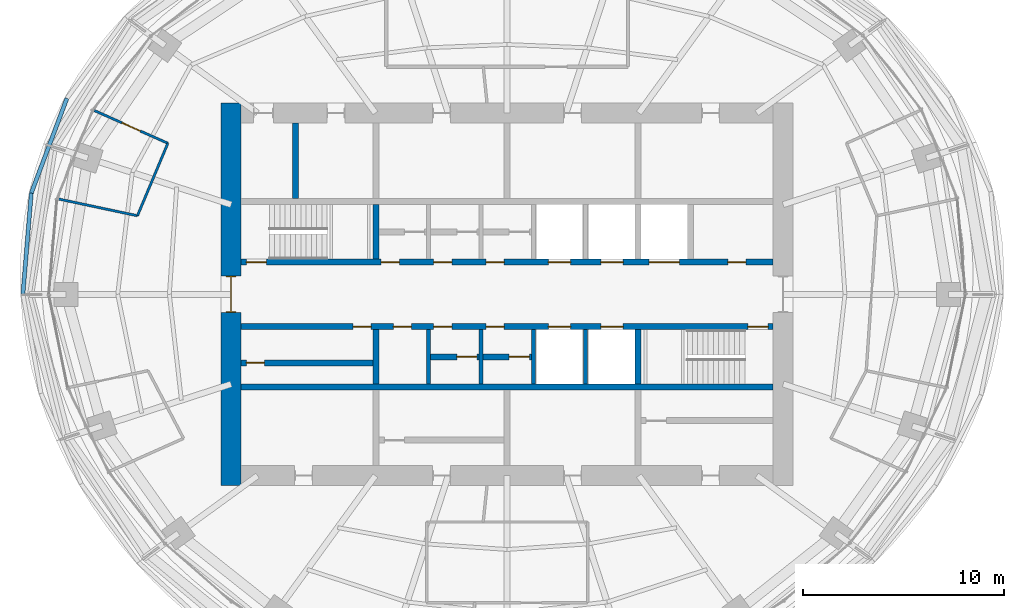
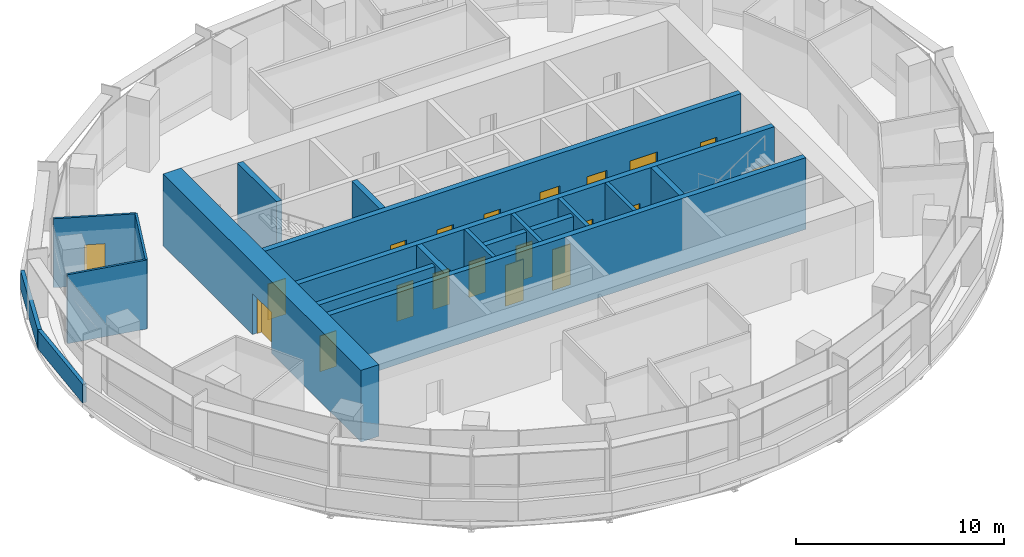
# One storey, part 11 of 15: 20 doors, 20 walls, 20 openings.
"""IFC4 building model written with IfcOpenShell, lengths in metres."""

import ifcopenshell
import ifcopenshell.guid

model = None  # the IFC model being written
_history = None  # IfcOwnerHistory: only IFC2X3 demands one
_inside = {}  # id of a spatial element -> (the spatial element, [elements in it])
_under = {}  # id of a project, library or spatial element -> (it, [spatial elements below it])
_declared = {}  # id of a project -> (the project, [libraries it declares])
_typed = {}  # id of a type object -> (the type object, [elements of that type])
_made_of = {}  # id of a material, layer set ... -> (it, [elements and type objects made of it])


def new_model(schema):
    """Start an empty IFC model of exactly this schema.

    Asked for "IFC4X3", IfcOpenShell would pick the latest addendum, in which some entities
    have other attributes; the version numbers below select the first issue.
    IFC2X3 requires an IfcOwnerHistory on every rooted entity: one is made here for all.
    """
    global model, _history
    if schema == "IFC4X3":
        model = ifcopenshell.file(schema_version=(4, 3, 0, 0))
    else:
        model = ifcopenshell.file(schema=schema)
    _inside.clear()
    _under.clear()
    _declared.clear()
    _typed.clear()
    _made_of.clear()
    _history = None
    if model.schema == "IFC2X3":
        org = make("IfcOrganization", Name="unknown")
        user = make(
            "IfcPersonAndOrganization",
            ThePerson=make("IfcPerson", FamilyName="unknown"),
            TheOrganization=org,
        )
        app = make(
            "IfcApplication",
            ApplicationDeveloper=org,
            Version="unknown",
            ApplicationFullName="unknown",
            ApplicationIdentifier="unknown",
        )
        _history = make(
            "IfcOwnerHistory",
            OwningUser=user,
            OwningApplication=app,
            ChangeAction="ADDED",
            CreationDate=0,
        )
    return model


def make(cls, **values):
    """One entity of the class cls with the attributes given. An attribute that is None is left unset."""
    return model.create_entity(
        cls, **{name: value for name, value in values.items() if value is not None}
    )


def rooted(cls, **values):
    """An entity with a GlobalId (a new one), such as an element, a storey or a relation."""
    return make(cls, GlobalId=ifcopenshell.guid.new(), OwnerHistory=_history, **values)


def si_unit(unit_type, name, prefix=None):
    """IfcSIUnit, for example si_unit("LENGTHUNIT", "METRE", prefix="MILLI")."""
    return make("IfcSIUnit", UnitType=unit_type, Prefix=prefix, Name=name)


def assignment(units):
    """IfcUnitAssignment: the units of a project."""
    return None if units is None else make("IfcUnitAssignment", Units=units)


def point(xyz):
    """IfcCartesianPoint."""
    return None if xyz is None else make("IfcCartesianPoint", Coordinates=xyz)


def direction(xyz):
    """IfcDirection."""
    return None if xyz is None else make("IfcDirection", DirectionRatios=xyz)


def frame(location, z_axis=None, x_axis=None):
    """IfcAxis2Placement3D, a coordinate frame: its origin and axes. An axis left out is left unset."""
    return make(
        "IfcAxis2Placement3D",
        Location=point(location),
        Axis=direction(z_axis),
        RefDirection=direction(x_axis),
    )


def frame_2d(location, x_axis=None):
    """IfcAxis2Placement2D, a coordinate frame in the plane: its origin and x axis."""
    return make(
        "IfcAxis2Placement2D", Location=point(location), RefDirection=direction(x_axis)
    )


def origin():
    """The frame at (0, 0, 0) with its axes left unset."""
    return frame((0.0, 0.0, 0.0))


def place(relative_to, where):
    """IfcLocalPlacement: puts the frame where relative to a parent placement (None: the world)."""
    return make(
        "IfcLocalPlacement", PlacementRelTo=relative_to, RelativePlacement=where
    )


def context(
    kind, dimensions, precision=None, world=None, true_north=None, identifier=None
):
    """IfcGeometricRepresentationContext, for example the 3D "Model" context."""
    return make(
        "IfcGeometricRepresentationContext",
        ContextIdentifier=identifier,
        ContextType=kind,
        CoordinateSpaceDimension=dimensions,
        Precision=precision,
        WorldCoordinateSystem=world,
        TrueNorth=true_north,
    )


def subcontext(parent, identifier, kind, view, scale=None):
    """IfcGeometricRepresentationSubContext, for example "Body" below "Model"."""
    return make(
        "IfcGeometricRepresentationSubContext",
        ContextIdentifier=identifier,
        ContextType=kind,
        ParentContext=parent,
        TargetScale=scale,
        TargetView=view,
    )


def project(units=None, contexts=None):
    """IfcProject with its units and contexts."""
    return rooted(
        "IfcProject",
        Name="project",
        RepresentationContexts=contexts,
        UnitsInContext=assignment(units),
    )


def spatial(cls, under=None, at=None, **own):
    """A site, building, storey or space (cls), placed at a placement, below another one or the project."""
    s = rooted(cls, ObjectPlacement=at, **own)
    if under is not None:
        _under.setdefault(under.id(), (under, []))[1].append(s)
    return s


def profile(cls, at=None, kind="AREA", **sizes):
    """A parametric profile (cls). Its sizes go by their IFC names, for example OverallWidth=200.0."""
    return make(cls, ProfileType=kind, Position=at, **sizes)


def rectangle(**sizes):
    """IfcRectangleProfileDef."""
    return profile("IfcRectangleProfileDef", **sizes)


def extrude(swept, where, along, depth):
    """IfcExtrudedAreaSolid: the profile swept, set in the frame where, extruded along a direction by depth."""
    return make(
        "IfcExtrudedAreaSolid",
        SweptArea=swept,
        Position=where,
        ExtrudedDirection=direction(along),
        Depth=depth,
    )


def shape(context_of_items, identifier, shape_type, items):
    """IfcShapeRepresentation: the items that make up one representation, for example the "Body"."""
    return make(
        "IfcShapeRepresentation",
        ContextOfItems=context_of_items,
        RepresentationIdentifier=identifier,
        RepresentationType=shape_type,
        Items=items,
    )


def material(Name=None, Category=None):
    """IfcMaterial."""
    return make("IfcMaterial", Name=Name, Category=Category)


def layer(
    of_material, thickness, ventilated=None, Name=None, Category=None, Priority=None
):
    """IfcMaterialLayer: one layer of a wall or slab, of a material (None: an air gap)."""
    return make(
        "IfcMaterialLayer",
        Material=of_material,
        LayerThickness=thickness,
        IsVentilated=ventilated,
        Name=Name,
        Category=Category,
        Priority=Priority,
    )


def layer_set(layers, Name=None):
    """IfcMaterialLayerSet."""
    return make("IfcMaterialLayerSet", MaterialLayers=layers, LayerSetName=Name)


def made_of(thing, what):
    """Note that an element or type object is made of a material, layer set ...; save() writes the relation."""
    if what is not None:
        _made_of.setdefault(what.id(), (what, []))[1].append(thing)
    return thing


def type_object(cls, material=None, **own):
    """A type object (cls), such as IfcWallType, which elements share."""
    return made_of(rooted(cls, **own), material)


def element(
    cls,
    number,
    at=None,
    inside=None,
    cuts=None,
    type_object=None,
    material=None,
    context=None,
    identifier="Body",
    shape_type=None,
    held_by="IfcProductDefinitionShape",
    body=None,
    shapes=None,
    **own,
):
    """One element of the class cls, such as IfcWall. Its Tag is "e" and its number.

    at: its placement. inside: the storey or other place that contains it. cuts: it is an
    opening in that element (IfcRelVoidsElement). A single representation is given by context,
    identifier, shape_type and body (its items); several are given by shapes. held_by: the class
    of the entity that holds the representations. save() writes the other relations.
    """
    e = rooted(cls, Tag="e%d" % number, ObjectPlacement=at, **own)
    if body is not None:
        shapes = [shape(context, identifier, shape_type, body)]
    if shapes is not None:
        e.Representation = make(held_by, Representations=shapes)
    if inside is not None:
        _inside.setdefault(inside.id(), (inside, []))[1].append(e)
    if cuts is not None:
        rooted(
            "IfcRelVoidsElement", RelatingBuildingElement=cuts, RelatedOpeningElement=e
        )
    if type_object is not None:
        _typed.setdefault(type_object.id(), (type_object, []))[1].append(e)
    return made_of(e, material)


def fill(opening, filler):
    """IfcRelFillsElement: the door or window that sits in an opening."""
    return rooted(
        "IfcRelFillsElement",
        RelatingOpeningElement=opening,
        RelatedBuildingElement=filler,
    )


def aggregate(whole, parts):
    """IfcRelAggregates: a whole, such as a stair, and the parts it consists of."""
    return rooted("IfcRelAggregates", RelatingObject=whole, RelatedObjects=parts)


def save(model, path):
    """Write the relations noted so far, then the file.

    IfcRelAggregates (storeys below a building ...), IfcRelContainedInSpatialStructure (elements
    in a storey), IfcRelDefinesByType, IfcRelAssociatesMaterial and IfcRelDeclares: one each for
    every whole, place, type object, material and project.
    """
    for whole, parts in _under.values():
        aggregate(whole, parts)
    for where, things in _inside.values():
        rooted(
            "IfcRelContainedInSpatialStructure",
            RelatedElements=things,
            RelatingStructure=where,
        )
    for kind, things in _typed.values():
        rooted("IfcRelDefinesByType", RelatedObjects=things, RelatingType=kind)
    for what, things in _made_of.values():
        rooted("IfcRelAssociatesMaterial", RelatedObjects=things, RelatingMaterial=what)
    for by, libraries in _declared.values():
        rooted("IfcRelDeclares", RelatingContext=by, RelatedDefinitions=libraries)
    model.write(path)


model = new_model("IFC4")

# Units and contexts
model_context = context("Model", 3, precision=1e-05, world=origin(), true_north=direction((0.0, 1.0)))
body_context = subcontext(model_context, "Body", "Model", "MODEL_VIEW")
ifc_project = project(units=[si_unit("LENGTHUNIT", "METRE"), si_unit("AREAUNIT", "SQUARE_METRE"), si_unit("VOLUMEUNIT", "CUBIC_METRE"), si_unit("PLANEANGLEUNIT", "RADIAN"), si_unit("MASSUNIT", "GRAM", prefix="KILO")], contexts=[model_context])

# Site, building, storey
site_placement = place(None, origin())
site = spatial("IfcSite", under=ifc_project, at=site_placement, CompositionType="ELEMENT")
building_placement = place(site_placement, origin())
building = spatial("IfcBuilding", under=site, at=building_placement, Name="Marramba Exchange Tower", CompositionType="ELEMENT")
storey_placement = place(building_placement, frame((0.0, 0.0, 251.800048828125)))
storey = spatial("IfcBuildingStorey", under=building, at=storey_placement, Name="L61", CompositionType="ELEMENT", Elevation=251.800048828125)

# Walls
ifc_material_1 = material(Name="Concrete N50", Category="concrete")
ifc_layer_1 = layer(ifc_material_1, 0.199951171875)
ifc_layer_set_1 = layer_set([ifc_layer_1], Name="Core shaft wall 200")
wall_type_1 = type_object("IfcWallType", Name="Core shaft wall 200", PredefinedType="SHEAR", material=ifc_layer_set_1)
for number, where, z_axis, x_axis, name in (
    (1, (-3.89990234375, -1.75, 0.0), (0.0, 0.0, 1.0), (0.0, -1.0, 0.0), "Core wall SHS1 L61"),
    (2, (-1.300048828125, -1.75, 0.0), (0.0, 0.0, 1.0), (0.0, -1.0, 0.0), "Core wall SHS2 L61"),
    (3, (1.300048828125, -1.75, 0.0), (0.0, 0.0, 1.0), (0.0, -1.0, 0.0), "Core wall SHS3 L61"),
    (4, (3.89990234375, -1.75, 0.0), (0.0, 0.0, 1.0), (0.0, -1.0, 0.0), "Core wall SHS4 L61"),
):
    element("IfcWall", number, at=place(storey_placement, frame(where, z_axis=z_axis, x_axis=x_axis)), inside=storey, type_object=wall_type_1, Name=name, PredefinedType="SHEAR", context=body_context, shape_type="SweptSolid", body=[
        extrude(rectangle(XDim=2.699951171875, YDim=0.199951171875, at=frame_2d((1.35009765625, 0.0))), origin(), (0.0, 0.0, 1.0), 4.199951171875),
    ])

# Wall, opening, door
ifc_layer_2 = layer(ifc_material_1, 1.0)
ifc_layer_set_2 = layer_set([ifc_layer_2], Name="Core wall 1000")
wall_type_2 = type_object("IfcWallType", Name="Core wall 1000", PredefinedType="SHEAR", material=ifc_layer_set_2)
wall_1_placement = place(storey_placement, frame((-13.699951171875, 9.5, 0.0), z_axis=(0.0, 0.0, 1.0), x_axis=(0.0, -1.0, 0.0)))
wall_1 = element("IfcWall", 5, at=wall_1_placement, inside=storey, type_object=wall_type_2, Name="Core wall W L61", PredefinedType="SHEAR", context=body_context, shape_type="SweptSolid", body=[
    extrude(rectangle(XDim=19.0, YDim=1.0, at=frame_2d((9.5, 0.0))), origin(), (0.0, 0.0, 1.0), 4.199951171875),
])
opening_1_placement = place(wall_1_placement, frame((8.60009765625, 0.0, 0.0)))
opening_1 = element("IfcOpeningElement", 6, at=opening_1_placement, cuts=wall_1, Name="Opening D1", PredefinedType="OPENING", context=body_context, shape_type="SweptSolid", body=[
    extrude(rectangle(XDim=1.800048828125, YDim=2.39990234375, at=frame_2d((0.89990234375, 1.199951171875))), frame((0.0, 0.510009765625, 0.0), z_axis=(0.0, -1.0, 0.0), x_axis=(1.0, 0.0, 0.0)), (0.0, 0.0, 1.0), 1.02001953125),
])
ifc_material_2 = material(Name="Steel-framed door", Category="steel")
door_type_1 = type_object("IfcDoorType", Name="Lobby exit door 1800x2400", OperationType="DOUBLE_DOOR_SINGLE_SWING", PredefinedType="DOOR", material=ifc_material_2)
door_1_placement = place(opening_1_placement, origin())
door_1 = element("IfcDoor", 7, at=door_1_placement, inside=storey, type_object=door_type_1, Name="D1 lobby exit west L61", OperationType="DOUBLE_DOOR_SINGLE_SWING", OverallHeight=2.39990234375, OverallWidth=1.800048828125, PredefinedType="DOOR", context=body_context, shape_type="SweptSolid", body=[
    extrude(rectangle(XDim=1.719970703125, YDim=2.35986328125, at=frame_2d((0.89990234375, 1.179931640625))), frame((0.0, 0.02490234375, 0.0), z_axis=(0.0, -1.0, 0.0), x_axis=(1.0, 0.0, 0.0)), (0.0, 0.0, 1.0), 0.050048828125),
    extrude(rectangle(XDim=0.04, YDim=2.39990234375, at=frame_2d((0.02001953125, 1.199951171875))), frame((0.0, 0.25, 0.0), z_axis=(0.0, -1.0, 0.0), x_axis=(1.0, 0.0, 0.0)), (0.0, 0.0, 1.0), 0.5),
    extrude(rectangle(XDim=0.04, YDim=2.39990234375, at=frame_2d((1.780029296875, 1.199951171875))), frame((0.0, 0.25, 0.0), z_axis=(0.0, -1.0, 0.0), x_axis=(1.0, 0.0, 0.0)), (0.0, 0.0, 1.0), 0.5),
    extrude(rectangle(XDim=1.719970703125, YDim=0.04, at=frame_2d((0.89990234375, 2.3798828125))), frame((0.0, 0.25, 0.0), z_axis=(0.0, -1.0, 0.0), x_axis=(1.0, 0.0, 0.0)), (0.0, 0.0, 1.0), 0.5),
])
fill(opening_1, door_1)

# Wall, openings, doors
ifc_layer_3 = layer(ifc_material_1, 0.300048828125)
ifc_layer_set_3 = layer_set([ifc_layer_3], Name="Core wall 300")
wall_type_3 = type_object("IfcWallType", Name="Core wall 300", PredefinedType="SHEAR", material=ifc_layer_set_3)
wall_2_placement = place(storey_placement, frame((-13.199951171875, 1.60009765625, 0.0), z_axis=(0.0, 0.0, 1.0), x_axis=(1.0, 0.0, 0.0)))
wall_2 = element("IfcWall", 8, at=wall_2_placement, inside=storey, type_object=wall_type_3, Name="Core wall LN L61", PredefinedType="SHEAR", context=body_context, shape_type="SweptSolid", body=[
    extrude(rectangle(XDim=26.39990234375, YDim=0.300048828125, at=frame_2d((13.199951171875, 0.0))), origin(), (0.0, 0.0, 1.0), 4.199951171875),
])
opening_2_placement = place(wall_2_placement, frame((0.25, 0.0, 0.0)))
opening_2 = element("IfcOpeningElement", 9, at=opening_2_placement, cuts=wall_2, Name="Opening D2", PredefinedType="OPENING", context=body_context, shape_type="SweptSolid", body=[
    extrude(rectangle(XDim=1.0, YDim=2.10009765625, at=frame_2d((0.5, 1.050048828125))), frame((0.0, 0.159912109375, 0.0), z_axis=(0.0, -1.0, 0.0), x_axis=(1.0, 0.0, 0.0)), (0.0, 0.0, 1.0), 0.320068359375),
])
opening_3_placement = place(wall_2_placement, frame((20.25, 0.0, 0.0)))
opening_3 = element("IfcOpeningElement", 10, at=opening_3_placement, cuts=wall_2, Name="Opening LD3", PredefinedType="OPENING", context=body_context, shape_type="SweptSolid", body=[
    extrude(rectangle(XDim=1.5, YDim=2.39990234375, at=frame_2d((0.75, 1.199951171875))), frame((0.0, 0.159912109375, 0.0), z_axis=(0.0, -1.0, 0.0), x_axis=(1.0, 0.0, 0.0)), (0.0, 0.0, 1.0), 0.320068359375),
])
opening_4_placement = place(wall_2_placement, frame((6.949951171875, 0.0, 0.0)))
opening_4 = element("IfcOpeningElement", 11, at=opening_4_placement, cuts=wall_2, Name="Opening D5", PredefinedType="OPENING", context=body_context, shape_type="SweptSolid", body=[
    extrude(rectangle(XDim=0.89990234375, YDim=2.10009765625, at=frame_2d((0.449951171875, 1.050048828125))), frame((0.0, 0.159912109375, 0.0), z_axis=(0.0, -1.0, 0.0), x_axis=(1.0, 0.0, 0.0)), (0.0, 0.0, 1.0), 0.320068359375),
])
opening_5_placement = place(wall_2_placement, frame((9.550048828125, 0.0, 0.0)))
opening_5 = element("IfcOpeningElement", 12, at=opening_5_placement, cuts=wall_2, Name="Opening D5", PredefinedType="OPENING", context=body_context, shape_type="SweptSolid", body=[
    extrude(rectangle(XDim=0.89990234375, YDim=2.10009765625, at=frame_2d((0.449951171875, 1.050048828125))), frame((0.0, 0.159912109375, 0.0), z_axis=(0.0, -1.0, 0.0), x_axis=(1.0, 0.0, 0.0)), (0.0, 0.0, 1.0), 0.320068359375),
])
opening_6_placement = place(wall_2_placement, frame((12.14990234375, 0.0, 0.0)))
opening_6 = element("IfcOpeningElement", 13, at=opening_6_placement, cuts=wall_2, Name="Opening D5", PredefinedType="OPENING", context=body_context, shape_type="SweptSolid", body=[
    extrude(rectangle(XDim=0.89990234375, YDim=2.10009765625, at=frame_2d((0.449951171875, 1.050048828125))), frame((0.0, 0.159912109375, 0.0), z_axis=(0.0, -1.0, 0.0), x_axis=(1.0, 0.0, 0.0)), (0.0, 0.0, 1.0), 0.320068359375),
])
opening_7_placement = place(wall_2_placement, frame((15.25, 0.0, 0.0)))
opening_7 = element("IfcOpeningElement", 14, at=opening_7_placement, cuts=wall_2, Name="Opening LD1", PredefinedType="OPENING", context=body_context, shape_type="SweptSolid", body=[
    extrude(rectangle(XDim=1.10009765625, YDim=2.300048828125, at=frame_2d((0.550048828125, 1.14990234375))), frame((0.0, 0.159912109375, 0.0), z_axis=(0.0, -1.0, 0.0), x_axis=(1.0, 0.0, 0.0)), (0.0, 0.0, 1.0), 0.320068359375),
])
opening_8_placement = place(wall_2_placement, frame((17.85009765625, 0.0, 0.0)))
opening_8 = element("IfcOpeningElement", 15, at=opening_8_placement, cuts=wall_2, Name="Opening LD1", PredefinedType="OPENING", context=body_context, shape_type="SweptSolid", body=[
    extrude(rectangle(XDim=1.10009765625, YDim=2.300048828125, at=frame_2d((0.550048828125, 1.14990234375))), frame((0.0, 0.159912109375, 0.0), z_axis=(0.0, -1.0, 0.0), x_axis=(1.0, 0.0, 0.0)), (0.0, 0.0, 1.0), 0.320068359375),
])
opening_9_placement = place(wall_2_placement, frame((24.14990234375, 0.0, 0.0)))
opening_9 = element("IfcOpeningElement", 16, at=opening_9_placement, cuts=wall_2, Name="Opening D5", PredefinedType="OPENING", context=body_context, shape_type="SweptSolid", body=[
    extrude(rectangle(XDim=0.89990234375, YDim=2.10009765625, at=frame_2d((0.449951171875, 1.050048828125))), frame((0.0, 0.159912109375, 0.0), z_axis=(0.0, -1.0, 0.0), x_axis=(1.0, 0.0, 0.0)), (0.0, 0.0, 1.0), 0.320068359375),
])
door_type_2 = type_object("IfcDoorType", Name="Goods lift landing door 1500x2400", OperationType="SLIDING_TO_LEFT", PredefinedType="DOOR", material=ifc_material_2)
door_2_placement = place(opening_3_placement, origin())
door_2 = element("IfcDoor", 17, at=door_2_placement, inside=storey, type_object=door_type_2, Name="GL1 landing door L61", OperationType="SLIDING_TO_RIGHT", OverallHeight=2.39990234375, OverallWidth=1.5, PredefinedType="DOOR", context=body_context, shape_type="SweptSolid", body=[
    extrude(rectangle(XDim=1.5, YDim=2.39990234375, at=frame_2d((0.75, 1.199951171875))), frame((0.0, 0.02490234375, 0.0), z_axis=(0.0, -1.0, 0.0), x_axis=(1.0, 0.0, 0.0)), (0.0, 0.0, 1.0), 0.050048828125),
])
fill(opening_3, door_2)
door_type_3 = type_object("IfcDoorType", Name="Lift landing door 1100x2300", OperationType="SLIDING_TO_LEFT", PredefinedType="DOOR", material=ifc_material_2)
door_3_placement = place(opening_7_placement, origin())
door_3 = element("IfcDoor", 18, at=door_3_placement, inside=storey, type_object=door_type_3, Name="LD1 landing door L61", OperationType="SLIDING_TO_LEFT", OverallHeight=2.300048828125, OverallWidth=1.10009765625, PredefinedType="DOOR", context=body_context, shape_type="SweptSolid", body=[
    extrude(rectangle(XDim=1.10009765625, YDim=2.300048828125, at=frame_2d((0.550048828125, 1.14990234375))), frame((0.0, 0.02490234375, 0.0), z_axis=(0.0, -1.0, 0.0), x_axis=(1.0, 0.0, 0.0)), (0.0, 0.0, 1.0), 0.050048828125),
])
fill(opening_7, door_3)
door_4_placement = place(opening_8_placement, origin())
door_4 = element("IfcDoor", 19, at=door_4_placement, inside=storey, type_object=door_type_3, Name="LD2 landing door L61", OperationType="SLIDING_TO_LEFT", OverallHeight=2.300048828125, OverallWidth=1.10009765625, PredefinedType="DOOR", context=body_context, shape_type="SweptSolid", body=[
    extrude(rectangle(XDim=1.10009765625, YDim=2.300048828125, at=frame_2d((0.550048828125, 1.14990234375))), frame((0.0, 0.02490234375, 0.0), z_axis=(0.0, -1.0, 0.0), x_axis=(1.0, 0.0, 0.0)), (0.0, 0.0, 1.0), 0.050048828125),
])
fill(opening_8, door_4)
door_type_4 = type_object("IfcDoorType", Name="Service door 900x2100", OperationType="SINGLE_SWING_LEFT", PredefinedType="DOOR", material=ifc_material_2)
door_5_placement = place(opening_4_placement, origin())
door_5 = element("IfcDoor", 20, at=door_5_placement, inside=storey, type_object=door_type_4, Name="D5 switch room L61", OperationType="SINGLE_SWING_LEFT", OverallHeight=2.10009765625, OverallWidth=0.89990234375, PredefinedType="DOOR", context=body_context, shape_type="SweptSolid", body=[
    extrude(rectangle(XDim=0.89990234375, YDim=2.10009765625, at=frame_2d((0.449951171875, 1.050048828125))), frame((0.0, 0.02490234375, 0.0), z_axis=(0.0, -1.0, 0.0), x_axis=(1.0, 0.0, 0.0)), (0.0, 0.0, 1.0), 0.050048828125),
])
fill(opening_4, door_5)
door_6_placement = place(opening_5_placement, origin())
door_6 = element("IfcDoor", 21, at=door_6_placement, inside=storey, type_object=door_type_4, Name="D5 cleaner store L61", OperationType="SINGLE_SWING_LEFT", OverallHeight=2.10009765625, OverallWidth=0.89990234375, PredefinedType="DOOR", context=body_context, shape_type="SweptSolid", body=[
    extrude(rectangle(XDim=0.89990234375, YDim=2.10009765625, at=frame_2d((0.449951171875, 1.050048828125))), frame((0.0, 0.02490234375, 0.0), z_axis=(0.0, -1.0, 0.0), x_axis=(1.0, 0.0, 0.0)), (0.0, 0.0, 1.0), 0.050048828125),
])
fill(opening_5, door_6)
door_7_placement = place(opening_6_placement, origin())
door_7 = element("IfcDoor", 22, at=door_7_placement, inside=storey, type_object=door_type_4, Name="D5 general store L61", OperationType="SINGLE_SWING_LEFT", OverallHeight=2.10009765625, OverallWidth=0.89990234375, PredefinedType="DOOR", context=body_context, shape_type="SweptSolid", body=[
    extrude(rectangle(XDim=0.89990234375, YDim=2.10009765625, at=frame_2d((0.449951171875, 1.050048828125))), frame((0.0, 0.02490234375, 0.0), z_axis=(0.0, -1.0, 0.0), x_axis=(1.0, 0.0, 0.0)), (0.0, 0.0, 1.0), 0.050048828125),
])
fill(opening_6, door_7)
door_8_placement = place(opening_9_placement, origin())
door_8 = element("IfcDoor", 23, at=door_8_placement, inside=storey, type_object=door_type_4, Name="D5 riser L61", OperationType="SINGLE_SWING_RIGHT", OverallHeight=2.10009765625, OverallWidth=0.89990234375, PredefinedType="DOOR", context=body_context, shape_type="SweptSolid", body=[
    extrude(rectangle(XDim=0.89990234375, YDim=2.10009765625, at=frame_2d((0.449951171875, 1.050048828125))), frame((0.0, 0.02490234375, 0.0), z_axis=(0.0, -1.0, 0.0), x_axis=(1.0, 0.0, 0.0)), (0.0, 0.0, 1.0), 0.050048828125),
])
fill(opening_9, door_8)
door_type_5 = type_object("IfcDoorType", Name="Stair door 1000x2100", OperationType="SINGLE_SWING_LEFT", PredefinedType="DOOR", material=ifc_material_2)
door_9_placement = place(opening_2_placement, origin())
door_9 = element("IfcDoor", 24, at=door_9_placement, inside=storey, type_object=door_type_5, Name="D2 stair ST1 L61", OperationType="SINGLE_SWING_LEFT", OverallHeight=2.10009765625, OverallWidth=1.0, PredefinedType="DOOR", context=body_context, shape_type="SweptSolid", body=[
    extrude(rectangle(XDim=1.0, YDim=2.10009765625, at=frame_2d((0.5, 1.050048828125))), frame((0.0, 0.02490234375, 0.0), z_axis=(0.0, -1.0, 0.0), x_axis=(1.0, 0.0, 0.0)), (0.0, 0.0, 1.0), 0.050048828125),
])
fill(opening_2, door_9)

wall_3_placement = place(storey_placement, frame((-13.199951171875, -1.60009765625, 0.0), z_axis=(0.0, 0.0, 1.0), x_axis=(1.0, 0.0, 0.0)))
wall_3 = element("IfcWall", 25, at=wall_3_placement, inside=storey, type_object=wall_type_3, Name="Core wall LS L61", PredefinedType="SHEAR", context=body_context, shape_type="SweptSolid", body=[
    extrude(rectangle(XDim=26.39990234375, YDim=0.300048828125, at=frame_2d((13.199951171875, 0.0))), origin(), (0.0, 0.0, 1.0), 4.199951171875),
])
opening_10_placement = place(wall_3_placement, frame((25.14990234375, 0.0, 0.0)))
opening_10 = element("IfcOpeningElement", 26, at=opening_10_placement, cuts=wall_3, Name="Opening D2", PredefinedType="OPENING", context=body_context, shape_type="SweptSolid", body=[
    extrude(rectangle(XDim=1.0, YDim=2.10009765625, at=frame_2d((0.5, 1.050048828125))), frame((0.0, 0.159912109375, 0.0), z_axis=(0.0, -1.0, 0.0), x_axis=(1.0, 0.0, 0.0)), (0.0, 0.0, 1.0), 0.320068359375),
])
opening_11_placement = place(wall_3_placement, frame((7.550048828125, 0.0, 0.0)))
opening_11 = element("IfcOpeningElement", 27, at=opening_11_placement, cuts=wall_3, Name="Opening D5", PredefinedType="OPENING", context=body_context, shape_type="SweptSolid", body=[
    extrude(rectangle(XDim=0.89990234375, YDim=2.10009765625, at=frame_2d((0.449951171875, 1.050048828125))), frame((0.0, 0.159912109375, 0.0), z_axis=(0.0, -1.0, 0.0), x_axis=(1.0, 0.0, 0.0)), (0.0, 0.0, 1.0), 0.320068359375),
])
opening_12_placement = place(wall_3_placement, frame((9.550048828125, 0.0, 0.0)))
opening_12 = element("IfcOpeningElement", 28, at=opening_12_placement, cuts=wall_3, Name="Opening D5", PredefinedType="OPENING", context=body_context, shape_type="SweptSolid", body=[
    extrude(rectangle(XDim=0.89990234375, YDim=2.10009765625, at=frame_2d((0.449951171875, 1.050048828125))), frame((0.0, 0.159912109375, 0.0), z_axis=(0.0, -1.0, 0.0), x_axis=(1.0, 0.0, 0.0)), (0.0, 0.0, 1.0), 0.320068359375),
])
opening_13_placement = place(wall_3_placement, frame((12.14990234375, 0.0, 0.0)))
opening_13 = element("IfcOpeningElement", 29, at=opening_13_placement, cuts=wall_3, Name="Opening D5", PredefinedType="OPENING", context=body_context, shape_type="SweptSolid", body=[
    extrude(rectangle(XDim=0.89990234375, YDim=2.10009765625, at=frame_2d((0.449951171875, 1.050048828125))), frame((0.0, 0.159912109375, 0.0), z_axis=(0.0, -1.0, 0.0), x_axis=(1.0, 0.0, 0.0)), (0.0, 0.0, 1.0), 0.320068359375),
])
opening_14_placement = place(wall_3_placement, frame((15.25, 0.0, 0.0)))
opening_14 = element("IfcOpeningElement", 30, at=opening_14_placement, cuts=wall_3, Name="Opening LD2", PredefinedType="OPENING", context=body_context, shape_type="SweptSolid", body=[
    extrude(rectangle(XDim=1.10009765625, YDim=2.300048828125, at=frame_2d((0.550048828125, 1.14990234375))), frame((0.0, 0.159912109375, 0.0), z_axis=(0.0, -1.0, 0.0), x_axis=(1.0, 0.0, 0.0)), (0.0, 0.0, 1.0), 0.320068359375),
])
opening_15_placement = place(wall_3_placement, frame((17.85009765625, 0.0, 0.0)))
opening_15 = element("IfcOpeningElement", 31, at=opening_15_placement, cuts=wall_3, Name="Opening LD2", PredefinedType="OPENING", context=body_context, shape_type="SweptSolid", body=[
    extrude(rectangle(XDim=1.10009765625, YDim=2.300048828125, at=frame_2d((0.550048828125, 1.14990234375))), frame((0.0, 0.159912109375, 0.0), z_axis=(0.0, -1.0, 0.0), x_axis=(1.0, 0.0, 0.0)), (0.0, 0.0, 1.0), 0.320068359375),
])
opening_16_placement = place(wall_3_placement, frame((5.550048828125, 0.0, 0.0)))
opening_16 = element("IfcOpeningElement", 32, at=opening_16_placement, cuts=wall_3, Name="Opening D5", PredefinedType="OPENING", context=body_context, shape_type="SweptSolid", body=[
    extrude(rectangle(XDim=0.89990234375, YDim=2.10009765625, at=frame_2d((0.449951171875, 1.050048828125))), frame((0.0, 0.159912109375, 0.0), z_axis=(0.0, -1.0, 0.0), x_axis=(1.0, 0.0, 0.0)), (0.0, 0.0, 1.0), 0.320068359375),
])
door_type_6 = type_object("IfcDoorType", Name="Emergency lift landing door 1100x2300", OperationType="SLIDING_TO_LEFT", PredefinedType="DOOR", material=ifc_material_2)
door_10_placement = place(opening_14_placement, frame((1.10009765625, 0.0, 0.0), z_axis=(0.0, 0.0, 1.0), x_axis=(-1.0, 0.0, 0.0)))
door_10 = element("IfcDoor", 33, at=door_10_placement, inside=storey, type_object=door_type_6, Name="FL1 landing door L61", OperationType="SLIDING_TO_RIGHT", OverallHeight=2.300048828125, OverallWidth=1.10009765625, PredefinedType="DOOR", context=body_context, shape_type="SweptSolid", body=[
    extrude(rectangle(XDim=1.10009765625, YDim=2.300048828125, at=frame_2d((0.550048828125, 1.14990234375))), frame((0.0, 0.025146484375, 0.0), z_axis=(0.0, -1.0, 0.0), x_axis=(1.0, 0.0, 0.0)), (0.0, 0.0, 1.0), 0.050048828125),
])
fill(opening_14, door_10)
door_11_placement = place(opening_15_placement, frame((1.10009765625, 0.0, 0.0), z_axis=(0.0, 0.0, 1.0), x_axis=(-1.0, 0.0, 0.0)))
door_11 = element("IfcDoor", 34, at=door_11_placement, inside=storey, type_object=door_type_6, Name="FL2 landing door L61", OperationType="SLIDING_TO_LEFT", OverallHeight=2.300048828125, OverallWidth=1.10009765625, PredefinedType="DOOR", context=body_context, shape_type="SweptSolid", body=[
    extrude(rectangle(XDim=1.10009765625, YDim=2.300048828125, at=frame_2d((0.550048828125, 1.14990234375))), frame((0.0, 0.025146484375, 0.0), z_axis=(0.0, -1.0, 0.0), x_axis=(1.0, 0.0, 0.0)), (0.0, 0.0, 1.0), 0.050048828125),
])
fill(opening_15, door_11)
door_12_placement = place(opening_11_placement, frame((0.89990234375, 0.0, 0.0), z_axis=(0.0, 0.0, 1.0), x_axis=(-1.0, 0.0, 0.0)))
door_12 = element("IfcDoor", 35, at=door_12_placement, inside=storey, type_object=door_type_4, Name="D5 it equipment room n1 L61", OperationType="SINGLE_SWING_RIGHT", OverallHeight=2.10009765625, OverallWidth=0.89990234375, PredefinedType="DOOR", context=body_context, shape_type="SweptSolid", body=[
    extrude(rectangle(XDim=0.89990234375, YDim=2.10009765625, at=frame_2d((0.449951171875, 1.050048828125))), frame((0.0, 0.025146484375, 0.0), z_axis=(0.0, -1.0, 0.0), x_axis=(1.0, 0.0, 0.0)), (0.0, 0.0, 1.0), 0.050048828125),
])
fill(opening_11, door_12)
door_13_placement = place(opening_12_placement, frame((0.89990234375, 0.0, 0.0), z_axis=(0.0, 0.0, 1.0), x_axis=(-1.0, 0.0, 0.0)))
door_13 = element("IfcDoor", 36, at=door_13_placement, inside=storey, type_object=door_type_4, Name="D5 store room n1 L61", OperationType="SINGLE_SWING_RIGHT", OverallHeight=2.10009765625, OverallWidth=0.89990234375, PredefinedType="DOOR", context=body_context, shape_type="SweptSolid", body=[
    extrude(rectangle(XDim=0.89990234375, YDim=2.10009765625, at=frame_2d((0.449951171875, 1.050048828125))), frame((0.0, 0.025146484375, 0.0), z_axis=(0.0, -1.0, 0.0), x_axis=(1.0, 0.0, 0.0)), (0.0, 0.0, 1.0), 0.050048828125),
])
fill(opening_12, door_13)
door_14_placement = place(opening_13_placement, frame((0.89990234375, 0.0, 0.0), z_axis=(0.0, 0.0, 1.0), x_axis=(-1.0, 0.0, 0.0)))
door_14 = element("IfcDoor", 37, at=door_14_placement, inside=storey, type_object=door_type_4, Name="D5 print room n2 L61", OperationType="SINGLE_SWING_RIGHT", OverallHeight=2.10009765625, OverallWidth=0.89990234375, PredefinedType="DOOR", context=body_context, shape_type="SweptSolid", body=[
    extrude(rectangle(XDim=0.89990234375, YDim=2.10009765625, at=frame_2d((0.449951171875, 1.050048828125))), frame((0.0, 0.025146484375, 0.0), z_axis=(0.0, -1.0, 0.0), x_axis=(1.0, 0.0, 0.0)), (0.0, 0.0, 1.0), 0.050048828125),
])
fill(opening_13, door_14)
door_15_placement = place(opening_16_placement, frame((0.89990234375, 0.0, 0.0), z_axis=(0.0, 0.0, 1.0), x_axis=(-1.0, 0.0, 0.0)))
door_15 = element("IfcDoor", 38, at=door_15_placement, inside=storey, type_object=door_type_4, Name="D5 electrical riser L61", OperationType="SINGLE_SWING_LEFT", OverallHeight=2.10009765625, OverallWidth=0.89990234375, PredefinedType="DOOR", context=body_context, shape_type="SweptSolid", body=[
    extrude(rectangle(XDim=0.89990234375, YDim=2.10009765625, at=frame_2d((0.449951171875, 1.050048828125))), frame((0.0, 0.025146484375, 0.0), z_axis=(0.0, -1.0, 0.0), x_axis=(1.0, 0.0, 0.0)), (0.0, 0.0, 1.0), 0.050048828125),
])
fill(opening_16, door_15)
door_16_placement = place(opening_10_placement, frame((1.0, 0.0, 0.0), z_axis=(0.0, 0.0, 1.0), x_axis=(-1.0, 0.0, 0.0)))
door_16 = element("IfcDoor", 39, at=door_16_placement, inside=storey, type_object=door_type_5, Name="D2 stair ST2 L61", OperationType="SINGLE_SWING_LEFT", OverallHeight=2.10009765625, OverallWidth=1.0, PredefinedType="DOOR", context=body_context, shape_type="SweptSolid", body=[
    extrude(rectangle(XDim=1.0, YDim=2.10009765625, at=frame_2d((0.5, 1.050048828125))), frame((0.0, 0.025146484375, 0.0), z_axis=(0.0, -1.0, 0.0), x_axis=(1.0, 0.0, 0.0)), (0.0, 0.0, 1.0), 0.050048828125),
])
fill(opening_10, door_16)

# Walls
wall_4_placement = place(storey_placement, frame((-13.199951171875, -4.60009765625, 0.0), z_axis=(0.0, 0.0, 1.0), x_axis=(1.0, 0.0, 0.0)))
element("IfcWall", 40, at=wall_4_placement, inside=storey, type_object=wall_type_3, Name="Core wall BS L61", PredefinedType="SHEAR", context=body_context, shape_type="SweptSolid", body=[
    extrude(rectangle(XDim=26.39990234375, YDim=0.300048828125, at=frame_2d((13.199951171875, 0.0))), origin(), (0.0, 0.0, 1.0), 4.199951171875),
])
for number, where, z_axis, x_axis, name in (
    (41, (-6.5, 1.75, 0.0), (0.0, 0.0, 1.0), (0.0, 1.0, 0.0), "Core wall X0Na L61"),
    (42, (-6.5, -1.75, 0.0), (0.0, 0.0, 1.0), (0.0, -1.0, 0.0), "Core wall X0Sa L61"),
    (43, (6.5, -1.75, 0.0), (0.0, 0.0, 1.0), (0.0, -1.0, 0.0), "Core wall X1Sa L61"),
):
    element("IfcWall", number, at=place(storey_placement, frame(where, z_axis=z_axis, x_axis=x_axis)), inside=storey, type_object=wall_type_3, Name=name, PredefinedType="SHEAR", context=body_context, shape_type="SweptSolid", body=[
        extrude(rectangle(XDim=2.699951171875, YDim=0.300048828125, at=frame_2d((1.35009765625, 0.0))), origin(), (0.0, 0.0, 1.0), 4.199951171875),
    ])
wall_5_placement = place(storey_placement, frame((-10.5, 4.75, 0.0), z_axis=(0.0, 0.0, 1.0), x_axis=(0.0, 1.0, 0.0)))
element("IfcWall", 44, at=wall_5_placement, inside=storey, type_object=wall_type_3, Name="Core wall WD L61", PredefinedType="SHEAR", context=body_context, shape_type="SweptSolid", body=[
    extrude(rectangle(XDim=3.75, YDim=0.300048828125, at=frame_2d((1.875, 0.0))), origin(), (0.0, 0.0, 1.0), 4.199951171875),
])

# Wall, opening, door
ifc_material_3 = material(Name="Plasterboard on steel studs", Category="steel")
ifc_layer_4 = layer(ifc_material_3, 0.1201171875)
ifc_layer_set_4 = layer_set([ifc_layer_4], Name="Partition 120")
wall_type_4 = type_object("IfcWallType", Name="Partition 120", PredefinedType="PARTITIONING", material=ifc_layer_set_4)
wall_6_placement = place(storey_placement, frame((-16.84228515625, 7.498779296875, 0.0), z_axis=(0.0, 0.0, 1.0), x_axis=(-0.913549606868, 0.406727323635, 0.0)))
wall_6 = element("IfcWall", 45, at=wall_6_placement, inside=storey, type_object=wall_type_4, Name="Partition L61 26", PredefinedType="PARTITIONING", context=body_context, shape_type="SweptSolid", body=[
    extrude(rectangle(XDim=4.0, YDim=0.1201171875, at=frame_2d((2.0, 0.0))), origin(), (0.0, 0.0, 1.0), 4.0400390625),
])
opening_17_placement = place(wall_6_placement, frame((1.5, 0.0, 0.0)))
opening_17 = element("IfcOpeningElement", 46, at=opening_17_placement, cuts=wall_6, Name="Opening D9", PredefinedType="OPENING", context=body_context, shape_type="SweptSolid", body=[
    extrude(rectangle(XDim=1.0, YDim=2.39990234375, at=frame_2d((0.5, 1.199951171875))), frame((0.0, 0.070068359375, 0.0), z_axis=(0.0, -1.0, 0.0), x_axis=(1.0, 0.0, 0.0)), (0.0, 0.0, 1.0), 0.14013671875),
])
ifc_material_4 = material(Name="Timber door", Category="wood")
door_type_7 = type_object("IfcDoorType", Name="Room door 1000x2400", OperationType="SINGLE_SWING_LEFT", PredefinedType="DOOR", material=ifc_material_4)
door_17_placement = place(opening_17_placement, origin())
door_17 = element("IfcDoor", 47, at=door_17_placement, inside=storey, type_object=door_type_7, Name="D9 Executive Office 4 L61", OperationType="SINGLE_SWING_RIGHT", OverallHeight=2.39990234375, OverallWidth=1.0, PredefinedType="DOOR", context=body_context, shape_type="SweptSolid", body=[
    extrude(rectangle(XDim=1.0, YDim=2.39990234375, at=frame_2d((0.5, 1.199951171875))), frame((0.0, 0.02490234375, 0.0), z_axis=(0.0, -1.0, 0.0), x_axis=(1.0, 0.0, 0.0)), (0.0, 0.0, 1.0), 0.050048828125),
])
fill(opening_17, door_17)

# Walls
wall_7_placement = place(storey_placement, frame((-18.351318359375, 3.900634765625, 0.0), z_axis=(0.0, 0.0, 1.0), x_axis=(0.38675585774, 0.922182143887, 0.0)))
element("IfcWall", 48, at=wall_7_placement, inside=storey, type_object=wall_type_4, Name="Partition L61 27", PredefinedType="PARTITIONING", context=body_context, shape_type="SweptSolid", body=[
    extrude(rectangle(XDim=3.90185546875, YDim=0.1201171875, at=frame_2d((1.950927734375, 0.0))), origin(), (0.0, 0.0, 1.0), 4.0400390625),
])
wall_8_placement = place(storey_placement, frame((-22.263916015625, 4.732421875, 0.0), z_axis=(0.0, 0.0, 1.0), x_axis=(0.978140543132, -0.207944891454, 0.0)))
element("IfcWall", 49, at=wall_8_placement, inside=storey, type_object=wall_type_4, Name="Partition L61 28", PredefinedType="PARTITIONING", context=body_context, shape_type="SweptSolid", body=[
    extrude(rectangle(XDim=4.0, YDim=0.1201171875, at=frame_2d((2.0, 0.0))), origin(), (0.0, 0.0, 1.0), 4.0400390625),
])

# Wall, opening, door
ifc_material_5 = material(Name="Core-filled concrete blockwork", Category="masonry")
ifc_layer_5 = layer(ifc_material_5, 0.300048828125)
ifc_layer_set_5 = layer_set([ifc_layer_5], Name="Riser enclosure wall 300")
wall_type_5 = type_object("IfcWallType", Name="Riser enclosure wall 300", PredefinedType="SOLIDWALL", material=ifc_layer_set_5)
wall_9_placement = place(storey_placement, frame((-13.199951171875, -3.39990234375, 0.0), z_axis=(0.0, 0.0, 1.0), x_axis=(1.0, 0.0, 0.0)))
wall_9 = element("IfcWall", 50, at=wall_9_placement, inside=storey, type_object=wall_type_5, Name="Riser enclosure wall L61", PredefinedType="SOLIDWALL", context=body_context, shape_type="SweptSolid", body=[
    extrude(rectangle(XDim=6.550048828125, YDim=0.300048828125, at=frame_2d((3.27490234375, 0.0))), origin(), (0.0, 0.0, 1.0), 4.0400390625),
])
opening_18_placement = place(wall_9_placement, frame((0.25, 0.0, 0.0)))
opening_18 = element("IfcOpeningElement", 51, at=opening_18_placement, cuts=wall_9, Name="Opening D5", PredefinedType="OPENING", context=body_context, shape_type="SweptSolid", body=[
    extrude(rectangle(XDim=0.89990234375, YDim=2.10009765625, at=frame_2d((0.449951171875, 1.050048828125))), frame((0.0, 0.159912109375, 0.0), z_axis=(0.0, -1.0, 0.0), x_axis=(1.0, 0.0, 0.0)), (0.0, 0.0, 1.0), 0.320068359375),
])
door_18_placement = place(opening_18_placement, frame((0.89990234375, 0.0, 0.0), z_axis=(0.0, 0.0, 1.0), x_axis=(-1.0, 0.0, 0.0)))
door_18 = element("IfcDoor", 52, at=door_18_placement, inside=storey, type_object=door_type_4, Name="D5 electrical riser back L61", OperationType="SINGLE_SWING_RIGHT", OverallHeight=2.10009765625, OverallWidth=0.89990234375, PredefinedType="DOOR", context=body_context, shape_type="SweptSolid", body=[
    extrude(rectangle(XDim=0.89990234375, YDim=2.10009765625, at=frame_2d((0.449951171875, 1.050048828125))), frame((0.0, 0.025146484375, 0.0), z_axis=(0.0, -1.0, 0.0), x_axis=(1.0, 0.0, 0.0)), (0.0, 0.0, 1.0), 0.050048828125),
])
fill(opening_18, door_18)

# Walls
ifc_material_6 = material(Name="Concrete N40", Category="concrete")
ifc_layer_6 = layer(ifc_material_6, 0.199951171875)
ifc_layer_set_6 = layer_set([ifc_layer_6], Name="Roof parapet 200")
wall_type_6 = type_object("IfcWallType", Name="Roof parapet 200", PredefinedType="PARAPET", material=ifc_layer_set_6)
wall_10_placement = place(storey_placement, frame((-21.852294921875, 9.729248046875, 0.0), z_axis=(0.0, 0.0, 1.0), x_axis=(-0.351538338132, -0.936173486499, 0.0)))
element("IfcWall", 53, at=wall_10_placement, inside=storey, type_object=wall_type_6, Name="Parapet L61 F14", PredefinedType="PARAPET", context=body_context, shape_type="SweptSolid", body=[
    extrude(rectangle(XDim=5.029541015625, YDim=0.199951171875, at=frame_2d((2.5146484375, 0.0))), origin(), (0.0, 0.0, 1.0), 1.099853515625),
])
wall_11_placement = place(storey_placement, frame((-23.620361328125, 5.020751953125, 0.0), z_axis=(0.0, 0.0, 1.0), x_axis=(-0.082479981139, -0.996592721583, 0.0)))
element("IfcWall", 54, at=wall_11_placement, inside=storey, type_object=wall_type_6, Name="Parapet L61 F15", PredefinedType="PARAPET", context=body_context, shape_type="SweptSolid", body=[
    extrude(rectangle(XDim=5.037841796875, YDim=0.199951171875, at=frame_2d((2.51904296875, 0.0))), origin(), (0.0, 0.0, 1.0), 1.099853515625),
])

# Wall, opening, door
ifc_material_7 = material(Name="Plasterboard on steel studs, insulated, unrated", Category="steel")
ifc_layer_7 = layer(ifc_material_7, 0.300048828125)
ifc_layer_set_7 = layer_set([ifc_layer_7], Name="Store partition 300")
wall_type_7 = type_object("IfcWallType", Name="Store partition 300", PredefinedType="PARTITIONING", material=ifc_layer_set_7)
wall_12_placement = place(storey_placement, frame((-3.800048828125, -3.10009765625, 0.0), z_axis=(0.0, 0.0, 1.0), x_axis=(1.0, 0.0, 0.0)))
wall_12 = element("IfcWall", 55, at=wall_12_placement, inside=storey, type_object=wall_type_7, Name="Store partition L61 S2", PredefinedType="PARTITIONING", context=body_context, shape_type="SweptSolid", body=[
    extrude(rectangle(XDim=2.400146484375, YDim=0.300048828125, at=frame_2d((1.2001953125, 0.0))), origin(), (0.0, 0.0, 1.0), 4.0400390625),
])
opening_19_placement = place(wall_12_placement, frame((1.300048828125, 0.0, 0.0)))
opening_19 = element("IfcOpeningElement", 56, at=opening_19_placement, cuts=wall_12, Name="Opening D9", PredefinedType="OPENING", context=body_context, shape_type="SweptSolid", body=[
    extrude(rectangle(XDim=1.0, YDim=2.39990234375, at=frame_2d((0.5, 1.199951171875))), frame((0.0, 0.159912109375, 0.0), z_axis=(0.0, -1.0, 0.0), x_axis=(1.0, 0.0, 0.0)), (0.0, 0.0, 1.0), 0.320068359375),
])
door_19_placement = place(opening_19_placement, origin())
door_19 = element("IfcDoor", 57, at=door_19_placement, inside=storey, type_object=door_type_7, Name="D9 store room S2 L61", OperationType="SINGLE_SWING_RIGHT", OverallHeight=2.39990234375, OverallWidth=1.0, PredefinedType="DOOR", context=body_context, shape_type="SweptSolid", body=[
    extrude(rectangle(XDim=1.0, YDim=2.39990234375, at=frame_2d((0.5, 1.199951171875))), frame((0.0, 0.02490234375, 0.0), z_axis=(0.0, -1.0, 0.0), x_axis=(1.0, 0.0, 0.0)), (0.0, 0.0, 1.0), 0.050048828125),
])
fill(opening_19, door_19)

wall_13_placement = place(storey_placement, frame((-1.199951171875, -3.10009765625, 0.0), z_axis=(0.0, 0.0, 1.0), x_axis=(1.0, 0.0, 0.0)))
wall_13 = element("IfcWall", 58, at=wall_13_placement, inside=storey, type_object=wall_type_7, Name="Store partition L61 S3", PredefinedType="PARTITIONING", context=body_context, shape_type="SweptSolid", body=[
    extrude(rectangle(XDim=2.39990234375, YDim=0.300048828125, at=frame_2d((1.199951171875, 0.0))), origin(), (0.0, 0.0, 1.0), 4.0400390625),
])
opening_20_placement = place(wall_13_placement, frame((1.300048828125, 0.0, 0.0)))
opening_20 = element("IfcOpeningElement", 59, at=opening_20_placement, cuts=wall_13, Name="Opening D9", PredefinedType="OPENING", context=body_context, shape_type="SweptSolid", body=[
    extrude(rectangle(XDim=1.0, YDim=2.39990234375, at=frame_2d((0.5, 1.199951171875))), frame((0.0, 0.159912109375, 0.0), z_axis=(0.0, -1.0, 0.0), x_axis=(1.0, 0.0, 0.0)), (0.0, 0.0, 1.0), 0.320068359375),
])
door_20_placement = place(opening_20_placement, origin())
door_20 = element("IfcDoor", 60, at=door_20_placement, inside=storey, type_object=door_type_7, Name="D9 store room S3 L61", OperationType="SINGLE_SWING_RIGHT", OverallHeight=2.39990234375, OverallWidth=1.0, PredefinedType="DOOR", context=body_context, shape_type="SweptSolid", body=[
    extrude(rectangle(XDim=1.0, YDim=2.39990234375, at=frame_2d((0.5, 1.199951171875))), frame((0.0, 0.02490234375, 0.0), z_axis=(0.0, -1.0, 0.0), x_axis=(1.0, 0.0, 0.0)), (0.0, 0.0, 1.0), 0.050048828125),
])
fill(opening_20, door_20)

save(model, "model.ifc")
